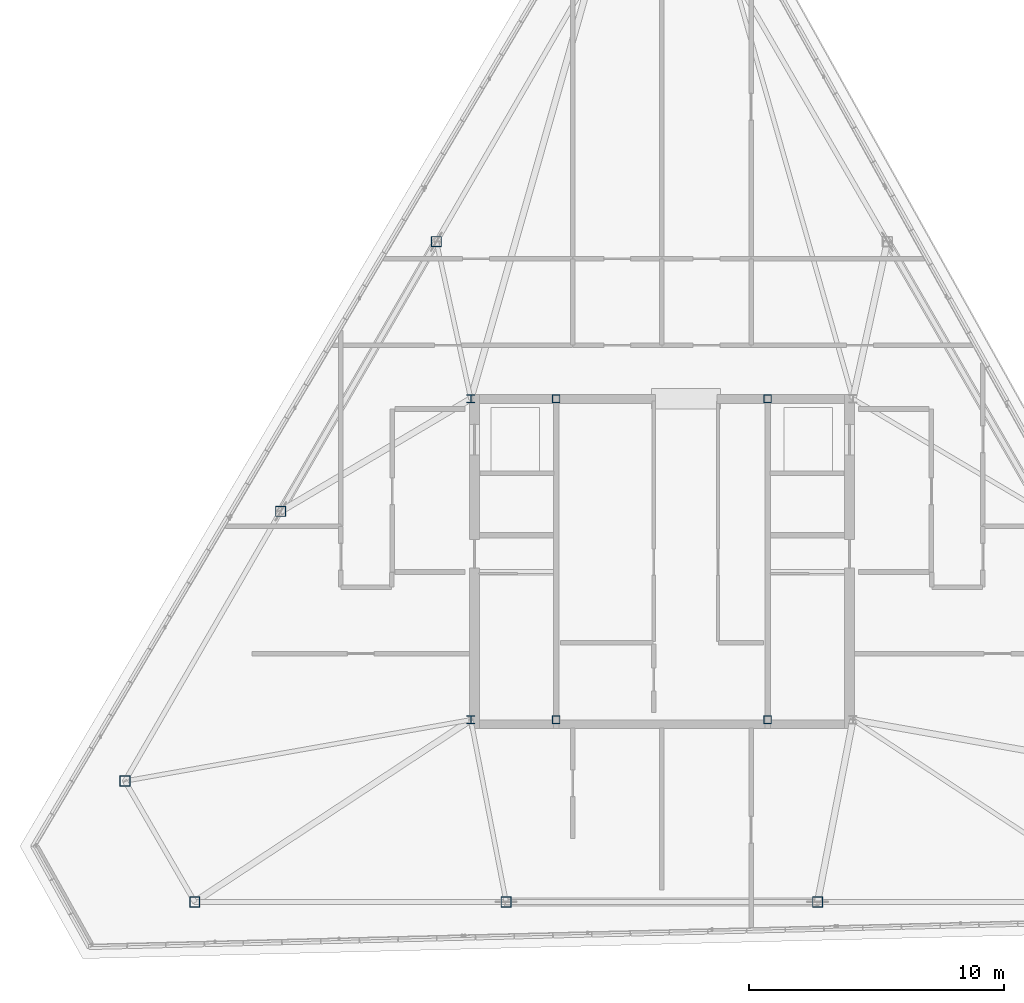
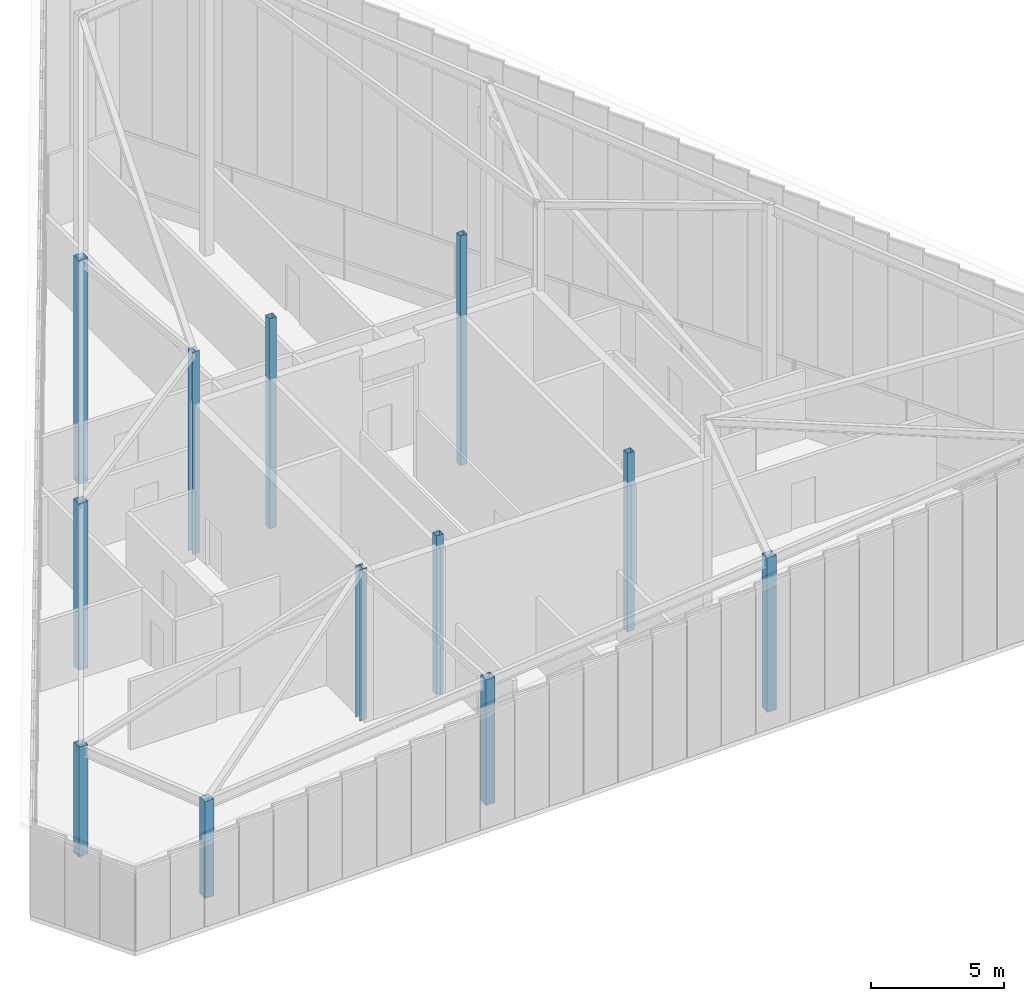
# One storey, part 1 of 50: 12 columns.
"""IFC4 building model written with IfcOpenShell, lengths in metres."""

from ifc_helpers import new_model, si_unit, direction, frame, origin, origin_2d, place, context, subcontext, project, spatial, hollow_rectangle, i_section, extrude, source, transform, mapped, material, material_profile, profile_set, type_object, type_shapes, element, save


model = new_model("IFC4")

# Units and contexts
model_context = context("Model", 3, precision=1e-05, world=origin(), true_north=direction((0.0, 1.0)))
body_context = subcontext(model_context, "Body", "Model", "MODEL_VIEW")
ifc_project = project(units=[si_unit("LENGTHUNIT", "METRE"), si_unit("AREAUNIT", "SQUARE_METRE"), si_unit("VOLUMEUNIT", "CUBIC_METRE"), si_unit("PLANEANGLEUNIT", "RADIAN"), si_unit("MASSUNIT", "GRAM", prefix="KILO")], contexts=[model_context])

# Site, building, storey
site_placement = place(None, origin())
site = spatial("IfcSite", under=ifc_project, at=site_placement, CompositionType="ELEMENT")
building_placement = place(site_placement, origin())
building = spatial("IfcBuilding", under=site, at=building_placement, Name="Caelisora Broadcast Tower", CompositionType="ELEMENT")
storey_placement = place(building_placement, frame((0.0, 0.0, 303.39990234375)))
storey = spatial("IfcBuildingStorey", under=building, at=storey_placement, Name="L80", CompositionType="ELEMENT", Elevation=303.39990234375)

# Columns
ifc_material_1 = material(Name="Steel Grade 350 (AS/NZS 3679.1)", Category="steel")
ifc_material_profile_1 = material_profile(ifc_material_1, i_section(OverallWidth=0.31103515625, OverallDepth=0.3271484375, WebThickness=0.015625, FlangeThickness=0.02490234375, at=origin_2d()), Name="Steel Grade 350 (AS/NZS 3679.1)")
ifc_profile_set_1 = profile_set([ifc_material_profile_1], Name="Steel Grade 350 (AS/NZS 3679.1)")
column_type_1 = type_object("IfcColumnType", Name="CC03", PredefinedType="COLUMN", material=ifc_profile_set_1)
shared_shape_1 = source(origin(), body_context, "Body", "SweptSolid", [
    extrude(i_section(OverallWidth=0.31103515625, OverallDepth=0.3271484375, WebThickness=0.015625, FlangeThickness=0.02490234375, at=origin_2d()), origin(), (0.0, 0.0, 1.0), 6.955078125),
])
column_1_placement = place(storey_placement, frame((30.5, 17.39990234375, 0.0), z_axis=(0.0, 0.0, 1.0), x_axis=(1.0, 0.0, 0.0)))
element("IfcColumn", 1, at=column_1_placement, inside=storey, type_object=column_type_1, Name="L80 column CC03", PredefinedType="COLUMN", context=body_context, shape_type="MappedRepresentation", body=[
    mapped(shared_shape_1, transform((0.0, 0.0, 0.0), scale=1.0)),
])
shared_shape_2 = source(origin(), body_context, "Body", "SweptSolid", [
    extrude(i_section(OverallWidth=0.31103515625, OverallDepth=0.3271484375, WebThickness=0.015625, FlangeThickness=0.02490234375, at=origin_2d()), origin(), (0.0, 0.0, 1.0), 9.301025390625),
])
type_shapes(column_type_1, [shared_shape_1, shared_shape_2])
column_2_placement = place(storey_placement, frame((30.5, 30.0, 0.0), z_axis=(0.0, 0.0, 1.0), x_axis=(1.0, 0.0, 0.0)))
element("IfcColumn", 2, at=column_2_placement, inside=storey, type_object=column_type_1, Name="L80 column CC03", PredefinedType="COLUMN", context=body_context, shape_type="MappedRepresentation", body=[
    mapped(shared_shape_2, transform((0.0, 0.0, 0.0), scale=1.0)),
])
ifc_material_2 = material(Name="Steel Grade 350 (AS/NZS 1163 C350L0)", Category="steel")
ifc_material_profile_2 = material_profile(ifc_material_2, hollow_rectangle(XDim=0.300048828125, YDim=0.300048828125, WallThickness=0.012451171875, at=origin_2d()), Name="Steel Grade 350 (AS/NZS 1163 C350L0)")
ifc_profile_set_2 = profile_set([ifc_material_profile_2], Name="Steel Grade 350 (AS/NZS 1163 C350L0)")
column_type_2 = type_object("IfcColumnType", Name="CC08", PredefinedType="COLUMN", material=ifc_profile_set_2)
shared_shape_3 = source(origin(), body_context, "Body", "SweptSolid", [
    extrude(hollow_rectangle(XDim=0.300048828125, YDim=0.300048828125, WallThickness=0.012451171875, at=origin_2d()), origin(), (0.0, 0.0, 1.0), 7.315185546875),
])
column_3_placement = place(storey_placement, frame((33.85009765625, 17.39990234375, 0.0), z_axis=(0.0, 0.0, 1.0), x_axis=(1.0, 0.0, 0.0)))
element("IfcColumn", 3, at=column_3_placement, inside=storey, type_object=column_type_2, Name="L80 column CC08", PredefinedType="COLUMN", context=body_context, shape_type="MappedRepresentation", body=[
    mapped(shared_shape_3, transform((0.0, 0.0, 0.0), scale=1.0)),
])
shared_shape_4 = source(origin(), body_context, "Body", "SweptSolid", [
    extrude(hollow_rectangle(XDim=0.300048828125, YDim=0.300048828125, WallThickness=0.012451171875, at=origin_2d()), origin(), (0.0, 0.0, 1.0), 8.20703125),
])
column_4_placement = place(storey_placement, frame((42.14990234375, 17.39990234375, 0.0), z_axis=(0.0, 0.0, 1.0), x_axis=(1.0, 0.0, 0.0)))
element("IfcColumn", 4, at=column_4_placement, inside=storey, type_object=column_type_2, Name="L80 column CC08", PredefinedType="COLUMN", context=body_context, shape_type="MappedRepresentation", body=[
    mapped(shared_shape_4, transform((0.0, 0.0, 0.0), scale=1.0)),
])
shared_shape_5 = source(origin(), body_context, "Body", "SweptSolid", [
    extrude(hollow_rectangle(XDim=0.300048828125, YDim=0.300048828125, WallThickness=0.012451171875, at=origin_2d()), origin(), (0.0, 0.0, 1.0), 9.6611328125),
])
column_5_placement = place(storey_placement, frame((33.85009765625, 30.0, 0.0), z_axis=(0.0, 0.0, 1.0), x_axis=(1.0, 0.0, 0.0)))
element("IfcColumn", 5, at=column_5_placement, inside=storey, type_object=column_type_2, Name="L80 column CC08", PredefinedType="COLUMN", context=body_context, shape_type="MappedRepresentation", body=[
    mapped(shared_shape_5, transform((0.0, 0.0, 0.0), scale=1.0)),
])
shared_shape_6 = source(origin(), body_context, "Body", "SweptSolid", [
    extrude(hollow_rectangle(XDim=0.300048828125, YDim=0.300048828125, WallThickness=0.012451171875, at=origin_2d()), origin(), (0.0, 0.0, 1.0), 10.552978515625),
])
type_shapes(column_type_2, [shared_shape_3, shared_shape_4, shared_shape_5, shared_shape_6])
column_6_placement = place(storey_placement, frame((42.14990234375, 30.0, 0.0), z_axis=(0.0, 0.0, 1.0), x_axis=(1.0, 0.0, 0.0)))
element("IfcColumn", 6, at=column_6_placement, inside=storey, type_object=column_type_2, Name="L80 column CC08", PredefinedType="COLUMN", context=body_context, shape_type="MappedRepresentation", body=[
    mapped(shared_shape_6, transform((0.0, 0.0, 0.0), scale=1.0)),
])
ifc_material_profile_3 = material_profile(ifc_material_2, hollow_rectangle(XDim=0.39990234375, YDim=0.39990234375, WallThickness=0.01611328125, at=origin_2d()), Name="Steel Grade 350 (AS/NZS 1163 C350L0)")
ifc_profile_set_3 = profile_set([ifc_material_profile_3], Name="Steel Grade 350 (AS/NZS 1163 C350L0)")
column_type_3 = type_object("IfcColumnType", Name="MC08", PredefinedType="COLUMN", material=ifc_profile_set_3)
shared_shape_7 = source(origin(), body_context, "Body", "SweptSolid", [
    extrude(hollow_rectangle(XDim=0.39990234375, YDim=0.39990234375, WallThickness=0.01611328125, at=origin_2d()), origin(), (0.0, 0.0, 1.0), 10.30419921875),
])
column_7_placement = place(storey_placement, frame((29.1484375, 36.168701171875, 0.0), z_axis=(0.0, 0.0, 1.0), x_axis=(1.0, 0.0, 0.0)))
element("IfcColumn", 7, at=column_7_placement, inside=storey, type_object=column_type_3, Name="L80 column MC08", PredefinedType="COLUMN", context=body_context, shape_type="MappedRepresentation", body=[
    mapped(shared_shape_7, transform((0.0, 0.0, 0.0), scale=1.0)),
])
shared_shape_8 = source(origin(), body_context, "Body", "SweptSolid", [
    extrude(hollow_rectangle(XDim=0.39990234375, YDim=0.39990234375, WallThickness=0.01611328125, at=origin_2d()), origin(), (0.0, 0.0, 1.0), 7.676025390625),
])
column_8_placement = place(storey_placement, frame((23.035888671875, 25.581298828125, 0.0), z_axis=(0.0, 0.0, 1.0), x_axis=(1.0, 0.0, 0.0)))
element("IfcColumn", 8, at=column_8_placement, inside=storey, type_object=column_type_3, Name="L80 column MC08", PredefinedType="COLUMN", context=body_context, shape_type="MappedRepresentation", body=[
    mapped(shared_shape_8, transform((0.0, 0.0, 0.0), scale=1.0)),
])
shared_shape_9 = source(origin(), body_context, "Body", "SweptSolid", [
    extrude(hollow_rectangle(XDim=0.39990234375, YDim=0.39990234375, WallThickness=0.01611328125, at=origin_2d()), origin(), (0.0, 0.0, 1.0), 5.047119140625),
])
column_9_placement = place(storey_placement, frame((16.923095703125, 14.99365234375, 0.0), z_axis=(0.0, 0.0, 1.0), x_axis=(1.0, 0.0, 0.0)))
element("IfcColumn", 9, at=column_9_placement, inside=storey, type_object=column_type_3, Name="L80 column MC08", PredefinedType="COLUMN", context=body_context, shape_type="MappedRepresentation", body=[
    mapped(shared_shape_9, transform((0.0, 0.0, 0.0), scale=1.0)),
])
shared_shape_10 = source(origin(), body_context, "Body", "SweptSolid", [
    extrude(hollow_rectangle(XDim=0.39990234375, YDim=0.39990234375, WallThickness=0.01611328125, at=origin_2d()), origin(), (0.0, 0.0, 1.0), 4.4580078125),
])
column_10_placement = place(storey_placement, frame((19.661865234375, 10.25, 0.0), z_axis=(0.0, 0.0, 1.0), x_axis=(1.0, 0.0, 0.0)))
element("IfcColumn", 10, at=column_10_placement, inside=storey, type_object=column_type_3, Name="L80 column MC08", PredefinedType="COLUMN", context=body_context, shape_type="MappedRepresentation", body=[
    mapped(shared_shape_10, transform((0.0, 0.0, 0.0), scale=1.0)),
])
shared_shape_11 = source(origin(), body_context, "Body", "SweptSolid", [
    extrude(hollow_rectangle(XDim=0.39990234375, YDim=0.39990234375, WallThickness=0.01611328125, at=origin_2d()), origin(), (0.0, 0.0, 1.0), 5.773193359375),
])
column_11_placement = place(storey_placement, frame((31.88720703125, 10.25, 0.0), z_axis=(0.0, 0.0, 1.0), x_axis=(1.0, 0.0, 0.0)))
element("IfcColumn", 11, at=column_11_placement, inside=storey, type_object=column_type_3, Name="L80 column MC08", PredefinedType="COLUMN", context=body_context, shape_type="MappedRepresentation", body=[
    mapped(shared_shape_11, transform((0.0, 0.0, 0.0), scale=1.0)),
])
shared_shape_12 = source(origin(), body_context, "Body", "SweptSolid", [
    extrude(hollow_rectangle(XDim=0.39990234375, YDim=0.39990234375, WallThickness=0.01611328125, at=origin_2d()), origin(), (0.0, 0.0, 1.0), 7.087158203125),
])
type_shapes(column_type_3, [shared_shape_7, shared_shape_8, shared_shape_9, shared_shape_10, shared_shape_11, shared_shape_12])
column_12_placement = place(storey_placement, frame((44.11279296875, 10.25, 0.0), z_axis=(0.0, 0.0, 1.0), x_axis=(1.0, 0.0, 0.0)))
element("IfcColumn", 12, at=column_12_placement, inside=storey, type_object=column_type_3, Name="L80 column MC08", PredefinedType="COLUMN", context=body_context, shape_type="MappedRepresentation", body=[
    mapped(shared_shape_12, transform((0.0, 0.0, 0.0), scale=1.0)),
])

save(model, "model.ifc")
